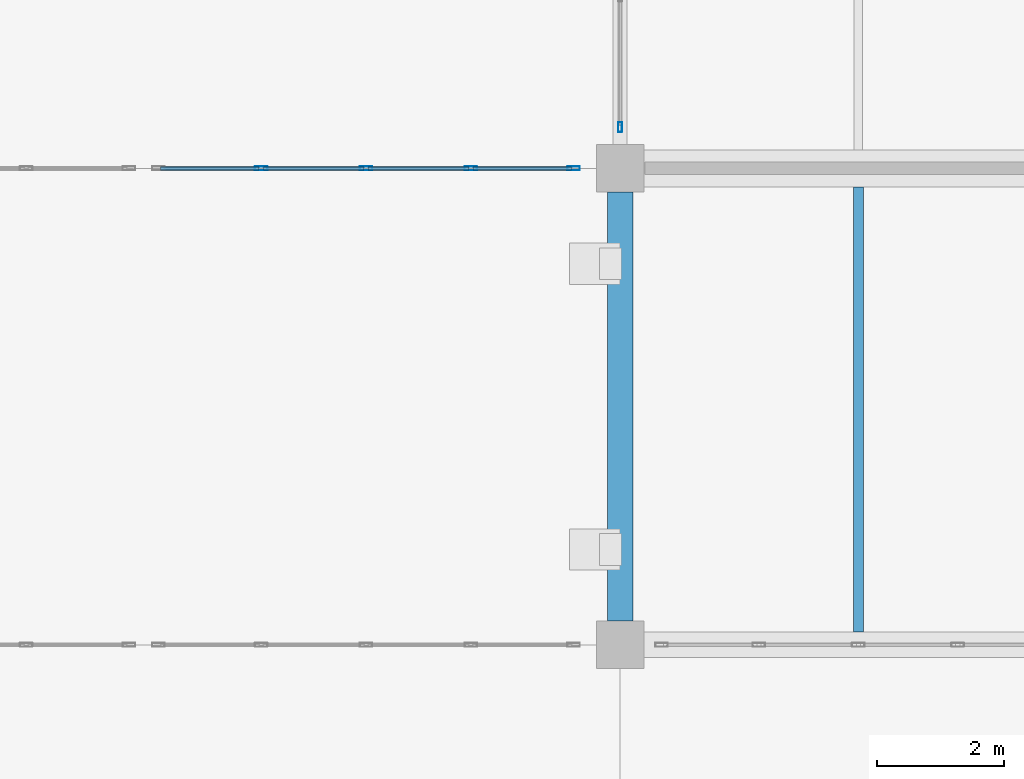
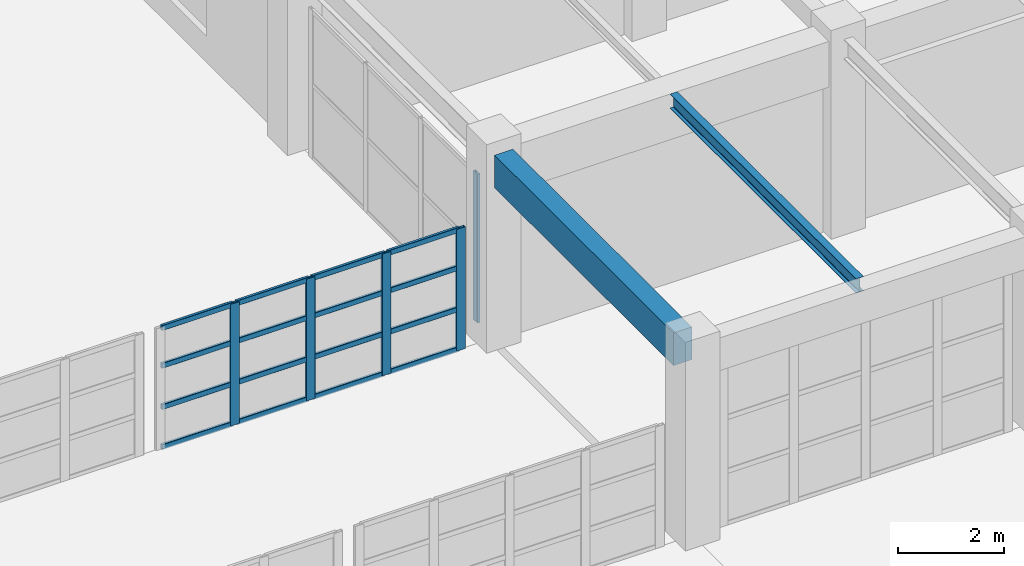
# One storey, part 47 of 122: 21 members, 2 beams, 2 elements without a shape of their own.
"""IFC4 building model written with IfcOpenShell, lengths in metres."""

from ifc_helpers import new_model, si_unit, direction, frame, origin, origin_2d, place, context, subcontext, project, spatial, rectangle, hollow_rectangle, i_section, extrude, material, material_profile, profile_set, type_object, element, aggregate, save


model = new_model("IFC4")

# Units and contexts
model_context = context("Model", 3, precision=1e-05, world=origin(), true_north=direction((0.0, 1.0)))
body_context = subcontext(model_context, "Body", "Model", "MODEL_VIEW")
ifc_project = project(units=[si_unit("LENGTHUNIT", "METRE"), si_unit("AREAUNIT", "SQUARE_METRE"), si_unit("VOLUMEUNIT", "CUBIC_METRE"), si_unit("PLANEANGLEUNIT", "RADIAN"), si_unit("MASSUNIT", "GRAM", prefix="KILO")], contexts=[model_context])

# Site, building, storey
site_placement = place(None, origin())
site = spatial("IfcSite", under=ifc_project, at=site_placement, CompositionType="ELEMENT")
building_placement = place(site_placement, origin())
building = spatial("IfcBuilding", under=site, at=building_placement, Name="Qasida Concert Hall", CompositionType="ELEMENT")
storey_placement = place(building_placement, origin())
storey = spatial("IfcBuildingStorey", under=building, at=storey_placement, Name="L00", CompositionType="ELEMENT", Elevation=0.0)

# Beams
ifc_material_1 = material(Name="Steel S355J2", Category="steel")
ifc_material_profile_1 = material_profile(ifc_material_1, i_section(OverallWidth=0.159912109375, OverallDepth=0.330078125, WebThickness=0.007568359375, FlangeThickness=0.011474609375, FilletRadius=0.01806640625, at=origin_2d()), Name="IPE 330")
ifc_profile_set_1 = profile_set([ifc_material_profile_1], Name="Steel S355J2")
beam_type_1 = type_object("IfcBeamType", Name="BM-J5", PredefinedType="JOIST", material=ifc_profile_set_1)
beam_1_placement = place(storey_placement, frame((123.75, 75.199951171875, 4.3349609375), z_axis=(0.0, 1.0, 0.0), x_axis=(-1.0, 0.0, 0.0)))
element("IfcBeam", 1, at=beam_1_placement, inside=storey, type_object=beam_type_1, Name="L00 secondary joist 0660", PredefinedType="JOIST", context=body_context, shape_type="SweptSolid", body=[
    extrude(i_section(OverallWidth=0.159912109375, OverallDepth=0.330078125, WebThickness=0.007568359375, FlangeThickness=0.011474609375, FilletRadius=0.01806640625, at=origin_2d()), origin(), (0.0, 0.0, 1.0), 7.010009765625),
])
ifc_material_2 = material(Name="Concrete C40/50", Category="concrete")
ifc_material_profile_2 = material_profile(ifc_material_2, rectangle(XDim=0.39990234375, YDim=0.75, at=origin_2d()), Name="RC 400x750")
ifc_profile_set_2 = profile_set([ifc_material_profile_2], Name="Concrete C40/50")
beam_type_2 = type_object("IfcBeamType", Name="BM-SP1", PredefinedType="SPANDREL", material=ifc_profile_set_2)
beam_2_placement = place(storey_placement, frame((120.0, 75.375, 4.125), z_axis=(0.0, 1.0, 0.0), x_axis=(-1.0, 0.0, 0.0)))
element("IfcBeam", 2, at=beam_2_placement, inside=storey, type_object=beam_type_2, Name="L00 girder 0625", PredefinedType="SPANDREL", context=body_context, shape_type="SweptSolid", body=[
    extrude(rectangle(XDim=0.39990234375, YDim=0.75, at=origin_2d()), origin(), (0.0, 0.0, 1.0), 6.75),
])

# Curtain wall, members
ifc_material_3 = material(Name="Architectural bronze-anodized aluminium and low-E glass", Category="aluminium")
curtain_wall_type_1 = type_object("IfcCurtainWallType", Name="CW-08", PredefinedType="NOTDEFINED", material=ifc_material_3)
curtain_wall_1_placement = place(storey_placement, origin())
curtain_wall_1 = element("IfcCurtainWall", 3, at=curtain_wall_1_placement, inside=storey, type_object=curtain_wall_type_1, Name="L00 link bridge glazing 0225", PredefinedType="NOTDEFINED")
ifc_material_4 = material(Name="Architectural bronze-anodized aluminium EN AW-6063", Category="aluminium")
ifc_material_profile_3 = material_profile(ifc_material_4, hollow_rectangle(XDim=0.06494140625, YDim=0.199951171875, WallThickness=0.0048828125, InnerFilletRadius=0.0048828125, OuterFilletRadius=0.010009765625, at=origin_2d()), Name="CWM 200x65x5")
ifc_profile_set_3 = profile_set([ifc_material_profile_3], Name="Architectural bronze-anodized aluminium EN AW-6063")
member_type_1 = type_object("IfcMemberType", Name="MB-CWM-2", PredefinedType="MULLION", material=ifc_profile_set_3)
member_1_placement = place(storey_placement, frame((114.35009765625, 82.5, 0.0), z_axis=(0.0, 0.0, 1.0), x_axis=(0.0, 1.0, 0.0)))
member_1 = element("IfcMember", 4, at=member_1_placement, type_object=member_type_1, Name="CW-08 mullion 2", PredefinedType="MULLION", context=body_context, shape_type="SweptSolid", body=[
    extrude(hollow_rectangle(XDim=0.06494140625, YDim=0.199951171875, WallThickness=0.0048828125, InnerFilletRadius=0.0048828125, OuterFilletRadius=0.010009765625, at=origin_2d()), origin(), (0.0, 0.0, 1.0), 2.800048828125),
])
member_2_placement = place(storey_placement, frame((116.0, 82.5, 0.0), z_axis=(0.0, 0.0, 1.0), x_axis=(0.0, 1.0, 0.0)))
member_2 = element("IfcMember", 5, at=member_2_placement, type_object=member_type_1, Name="CW-08 mullion 3", PredefinedType="MULLION", context=body_context, shape_type="SweptSolid", body=[
    extrude(hollow_rectangle(XDim=0.06494140625, YDim=0.199951171875, WallThickness=0.0048828125, InnerFilletRadius=0.0048828125, OuterFilletRadius=0.010009765625, at=origin_2d()), origin(), (0.0, 0.0, 1.0), 2.800048828125),
])
member_3_placement = place(storey_placement, frame((117.64990234375, 82.5, 0.0), z_axis=(0.0, 0.0, 1.0), x_axis=(0.0, 1.0, 0.0)))
member_3 = element("IfcMember", 6, at=member_3_placement, type_object=member_type_1, Name="CW-08 mullion 4", PredefinedType="MULLION", context=body_context, shape_type="SweptSolid", body=[
    extrude(hollow_rectangle(XDim=0.06494140625, YDim=0.199951171875, WallThickness=0.0048828125, InnerFilletRadius=0.0048828125, OuterFilletRadius=0.010009765625, at=origin_2d()), origin(), (0.0, 0.0, 1.0), 2.800048828125),
])
member_4_placement = place(storey_placement, frame((119.267578125, 82.5, 0.0), z_axis=(0.0, 0.0, 1.0), x_axis=(0.0, 1.0, 0.0)))
member_4 = element("IfcMember", 7, at=member_4_placement, type_object=member_type_1, Name="CW-08 mullion 5", PredefinedType="MULLION", context=body_context, shape_type="SweptSolid", body=[
    extrude(hollow_rectangle(XDim=0.06494140625, YDim=0.199951171875, WallThickness=0.0048828125, InnerFilletRadius=0.0048828125, OuterFilletRadius=0.010009765625, at=origin_2d()), origin(), (0.0, 0.0, 1.0), 2.800048828125),
])

# Curtain wall, member
curtain_wall_type_2 = type_object("IfcCurtainWallType", Name="CW-09", PredefinedType="NOTDEFINED", material=ifc_material_3)
curtain_wall_2_placement = place(storey_placement, origin())
curtain_wall_2 = element("IfcCurtainWall", 8, at=curtain_wall_2_placement, inside=storey, type_object=curtain_wall_type_2, Name="L00 curtain wall CW-09 0156", PredefinedType="NOTDEFINED")
ifc_material_profile_4 = material_profile(ifc_material_4, hollow_rectangle(XDim=0.06005859375, YDim=0.159912109375, WallThickness=0.00390625, InnerFilletRadius=0.00390625, OuterFilletRadius=0.008056640625, at=origin_2d()), Name="CWM 160x60x4")
ifc_profile_set_4 = profile_set([ifc_material_profile_4], Name="Architectural bronze-anodized aluminium EN AW-6063")
member_type_2 = type_object("IfcMemberType", Name="MB-CWM-3", PredefinedType="MULLION", material=ifc_profile_set_4)
member_5_placement = place(storey_placement, frame((120.0, 83.14990234375, 0.0), z_axis=(0.0, 0.0, 1.0), x_axis=(-1.0, 0.0, 0.0)))
member_5 = element("IfcMember", 9, at=member_5_placement, type_object=member_type_2, Name="CW-09 mullion 1", PredefinedType="MULLION", context=body_context, shape_type="SweptSolid", body=[
    extrude(hollow_rectangle(XDim=0.06005859375, YDim=0.159912109375, WallThickness=0.00390625, InnerFilletRadius=0.00390625, OuterFilletRadius=0.008056640625, at=origin_2d()), origin(), (0.0, 0.0, 1.0), 3.419921875),
])
aggregate(curtain_wall_2, [member_5])

# Member
ifc_material_profile_5 = material_profile(ifc_material_4, hollow_rectangle(XDim=0.06005859375, YDim=0.1201171875, WallThickness=0.00390625, InnerFilletRadius=0.00390625, OuterFilletRadius=0.008056640625, at=origin_2d()), Name="CWT 120x60x4")
ifc_profile_set_5 = profile_set([ifc_material_profile_5], Name="Architectural bronze-anodized aluminium EN AW-6063")
member_type_3 = type_object("IfcMemberType", Name="MB-CWT-2", PredefinedType="USERDEFINED", material=ifc_profile_set_5)
member_6_placement = place(storey_placement, frame((112.764892578125, 82.5, 0.030029296875), z_axis=(1.0, 0.0, 0.0), x_axis=(0.0, 1.0, 0.0)))
member_6 = element("IfcMember", 10, at=member_6_placement, type_object=member_type_3, Name="CW-08 transom 1.1", ObjectType="TRANSOM", PredefinedType="USERDEFINED", context=body_context, shape_type="SweptSolid", body=[
    extrude(hollow_rectangle(XDim=0.06005859375, YDim=0.1201171875, WallThickness=0.00390625, InnerFilletRadius=0.00390625, OuterFilletRadius=0.008056640625, at=origin_2d()), origin(), (0.0, 0.0, 1.0), 1.552490234375),
])

member_7_placement = place(storey_placement, frame((112.764892578125, 82.5, 0.949951171875), z_axis=(1.0, 0.0, 0.0), x_axis=(0.0, 1.0, 0.0)))
member_7 = element("IfcMember", 11, at=member_7_placement, type_object=member_type_3, Name="CW-08 transom 1.2", ObjectType="TRANSOM", PredefinedType="USERDEFINED", context=body_context, shape_type="SweptSolid", body=[
    extrude(hollow_rectangle(XDim=0.06005859375, YDim=0.1201171875, WallThickness=0.00390625, InnerFilletRadius=0.00390625, OuterFilletRadius=0.008056640625, at=origin_2d()), origin(), (0.0, 0.0, 1.0), 1.552490234375),
])

member_8_placement = place(storey_placement, frame((112.764892578125, 82.5, 1.89990234375), z_axis=(1.0, 0.0, 0.0), x_axis=(0.0, 1.0, 0.0)))
member_8 = element("IfcMember", 12, at=member_8_placement, type_object=member_type_3, Name="CW-08 transom 1.3", ObjectType="TRANSOM", PredefinedType="USERDEFINED", context=body_context, shape_type="SweptSolid", body=[
    extrude(hollow_rectangle(XDim=0.06005859375, YDim=0.1201171875, WallThickness=0.00390625, InnerFilletRadius=0.00390625, OuterFilletRadius=0.008056640625, at=origin_2d()), origin(), (0.0, 0.0, 1.0), 1.552490234375),
])

member_9_placement = place(storey_placement, frame((112.764892578125, 82.5, 2.77001953125), z_axis=(1.0, 0.0, 0.0), x_axis=(0.0, 1.0, 0.0)))
member_9 = element("IfcMember", 13, at=member_9_placement, type_object=member_type_3, Name="CW-08 transom 1.4", ObjectType="TRANSOM", PredefinedType="USERDEFINED", context=body_context, shape_type="SweptSolid", body=[
    extrude(hollow_rectangle(XDim=0.06005859375, YDim=0.1201171875, WallThickness=0.00390625, InnerFilletRadius=0.00390625, OuterFilletRadius=0.008056640625, at=origin_2d()), origin(), (0.0, 0.0, 1.0), 1.552490234375),
])

member_10_placement = place(storey_placement, frame((114.382568359375, 82.5, 0.030029296875), z_axis=(1.0, 0.0, 0.0), x_axis=(0.0, 1.0, 0.0)))
member_10 = element("IfcMember", 14, at=member_10_placement, type_object=member_type_3, Name="CW-08 transom 2.1", ObjectType="TRANSOM", PredefinedType="USERDEFINED", context=body_context, shape_type="SweptSolid", body=[
    extrude(hollow_rectangle(XDim=0.06005859375, YDim=0.1201171875, WallThickness=0.00390625, InnerFilletRadius=0.00390625, OuterFilletRadius=0.008056640625, at=origin_2d()), origin(), (0.0, 0.0, 1.0), 1.5849609375),
])

member_11_placement = place(storey_placement, frame((114.382568359375, 82.5, 0.949951171875), z_axis=(1.0, 0.0, 0.0), x_axis=(0.0, 1.0, 0.0)))
member_11 = element("IfcMember", 15, at=member_11_placement, type_object=member_type_3, Name="CW-08 transom 2.2", ObjectType="TRANSOM", PredefinedType="USERDEFINED", context=body_context, shape_type="SweptSolid", body=[
    extrude(hollow_rectangle(XDim=0.06005859375, YDim=0.1201171875, WallThickness=0.00390625, InnerFilletRadius=0.00390625, OuterFilletRadius=0.008056640625, at=origin_2d()), origin(), (0.0, 0.0, 1.0), 1.5849609375),
])

member_12_placement = place(storey_placement, frame((114.382568359375, 82.5, 1.89990234375), z_axis=(1.0, 0.0, 0.0), x_axis=(0.0, 1.0, 0.0)))
member_12 = element("IfcMember", 16, at=member_12_placement, type_object=member_type_3, Name="CW-08 transom 2.3", ObjectType="TRANSOM", PredefinedType="USERDEFINED", context=body_context, shape_type="SweptSolid", body=[
    extrude(hollow_rectangle(XDim=0.06005859375, YDim=0.1201171875, WallThickness=0.00390625, InnerFilletRadius=0.00390625, OuterFilletRadius=0.008056640625, at=origin_2d()), origin(), (0.0, 0.0, 1.0), 1.5849609375),
])

member_13_placement = place(storey_placement, frame((114.382568359375, 82.5, 2.77001953125), z_axis=(1.0, 0.0, 0.0), x_axis=(0.0, 1.0, 0.0)))
member_13 = element("IfcMember", 17, at=member_13_placement, type_object=member_type_3, Name="CW-08 transom 2.4", ObjectType="TRANSOM", PredefinedType="USERDEFINED", context=body_context, shape_type="SweptSolid", body=[
    extrude(hollow_rectangle(XDim=0.06005859375, YDim=0.1201171875, WallThickness=0.00390625, InnerFilletRadius=0.00390625, OuterFilletRadius=0.008056640625, at=origin_2d()), origin(), (0.0, 0.0, 1.0), 1.5849609375),
])

member_14_placement = place(storey_placement, frame((116.032470703125, 82.5, 0.030029296875), z_axis=(1.0, 0.0, 0.0), x_axis=(0.0, 1.0, 0.0)))
member_14 = element("IfcMember", 18, at=member_14_placement, type_object=member_type_3, Name="CW-08 transom 3.1", ObjectType="TRANSOM", PredefinedType="USERDEFINED", context=body_context, shape_type="SweptSolid", body=[
    extrude(hollow_rectangle(XDim=0.06005859375, YDim=0.1201171875, WallThickness=0.00390625, InnerFilletRadius=0.00390625, OuterFilletRadius=0.008056640625, at=origin_2d()), origin(), (0.0, 0.0, 1.0), 1.5849609375),
])

member_15_placement = place(storey_placement, frame((116.032470703125, 82.5, 0.949951171875), z_axis=(1.0, 0.0, 0.0), x_axis=(0.0, 1.0, 0.0)))
member_15 = element("IfcMember", 19, at=member_15_placement, type_object=member_type_3, Name="CW-08 transom 3.2", ObjectType="TRANSOM", PredefinedType="USERDEFINED", context=body_context, shape_type="SweptSolid", body=[
    extrude(hollow_rectangle(XDim=0.06005859375, YDim=0.1201171875, WallThickness=0.00390625, InnerFilletRadius=0.00390625, OuterFilletRadius=0.008056640625, at=origin_2d()), origin(), (0.0, 0.0, 1.0), 1.5849609375),
])

member_16_placement = place(storey_placement, frame((116.032470703125, 82.5, 1.89990234375), z_axis=(1.0, 0.0, 0.0), x_axis=(0.0, 1.0, 0.0)))
member_16 = element("IfcMember", 20, at=member_16_placement, type_object=member_type_3, Name="CW-08 transom 3.3", ObjectType="TRANSOM", PredefinedType="USERDEFINED", context=body_context, shape_type="SweptSolid", body=[
    extrude(hollow_rectangle(XDim=0.06005859375, YDim=0.1201171875, WallThickness=0.00390625, InnerFilletRadius=0.00390625, OuterFilletRadius=0.008056640625, at=origin_2d()), origin(), (0.0, 0.0, 1.0), 1.5849609375),
])

member_17_placement = place(storey_placement, frame((116.032470703125, 82.5, 2.77001953125), z_axis=(1.0, 0.0, 0.0), x_axis=(0.0, 1.0, 0.0)))
member_17 = element("IfcMember", 21, at=member_17_placement, type_object=member_type_3, Name="CW-08 transom 3.4", ObjectType="TRANSOM", PredefinedType="USERDEFINED", context=body_context, shape_type="SweptSolid", body=[
    extrude(hollow_rectangle(XDim=0.06005859375, YDim=0.1201171875, WallThickness=0.00390625, InnerFilletRadius=0.00390625, OuterFilletRadius=0.008056640625, at=origin_2d()), origin(), (0.0, 0.0, 1.0), 1.5849609375),
])

member_18_placement = place(storey_placement, frame((117.6826171875, 82.5, 0.030029296875), z_axis=(1.0, 0.0, 0.0), x_axis=(0.0, 1.0, 0.0)))
member_18 = element("IfcMember", 22, at=member_18_placement, type_object=member_type_3, Name="CW-08 transom 4.1", ObjectType="TRANSOM", PredefinedType="USERDEFINED", context=body_context, shape_type="SweptSolid", body=[
    extrude(hollow_rectangle(XDim=0.06005859375, YDim=0.1201171875, WallThickness=0.00390625, InnerFilletRadius=0.00390625, OuterFilletRadius=0.008056640625, at=origin_2d()), origin(), (0.0, 0.0, 1.0), 1.552490234375),
])

member_19_placement = place(storey_placement, frame((117.6826171875, 82.5, 0.949951171875), z_axis=(1.0, 0.0, 0.0), x_axis=(0.0, 1.0, 0.0)))
member_19 = element("IfcMember", 23, at=member_19_placement, type_object=member_type_3, Name="CW-08 transom 4.2", ObjectType="TRANSOM", PredefinedType="USERDEFINED", context=body_context, shape_type="SweptSolid", body=[
    extrude(hollow_rectangle(XDim=0.06005859375, YDim=0.1201171875, WallThickness=0.00390625, InnerFilletRadius=0.00390625, OuterFilletRadius=0.008056640625, at=origin_2d()), origin(), (0.0, 0.0, 1.0), 1.552490234375),
])

member_20_placement = place(storey_placement, frame((117.6826171875, 82.5, 1.89990234375), z_axis=(1.0, 0.0, 0.0), x_axis=(0.0, 1.0, 0.0)))
member_20 = element("IfcMember", 24, at=member_20_placement, type_object=member_type_3, Name="CW-08 transom 4.3", ObjectType="TRANSOM", PredefinedType="USERDEFINED", context=body_context, shape_type="SweptSolid", body=[
    extrude(hollow_rectangle(XDim=0.06005859375, YDim=0.1201171875, WallThickness=0.00390625, InnerFilletRadius=0.00390625, OuterFilletRadius=0.008056640625, at=origin_2d()), origin(), (0.0, 0.0, 1.0), 1.552490234375),
])

member_21_placement = place(storey_placement, frame((117.6826171875, 82.5, 2.77001953125), z_axis=(1.0, 0.0, 0.0), x_axis=(0.0, 1.0, 0.0)))
member_21 = element("IfcMember", 25, at=member_21_placement, type_object=member_type_3, Name="CW-08 transom 4.4", ObjectType="TRANSOM", PredefinedType="USERDEFINED", context=body_context, shape_type="SweptSolid", body=[
    extrude(hollow_rectangle(XDim=0.06005859375, YDim=0.1201171875, WallThickness=0.00390625, InnerFilletRadius=0.00390625, OuterFilletRadius=0.008056640625, at=origin_2d()), origin(), (0.0, 0.0, 1.0), 1.552490234375),
])

aggregate(curtain_wall_1, [member_1, member_2, member_3, member_4, member_6, member_7, member_8, member_9, member_10, member_11, member_12, member_13, member_14, member_15, member_16, member_17, member_18, member_19, member_20, member_21])

save(model, "model.ifc")
